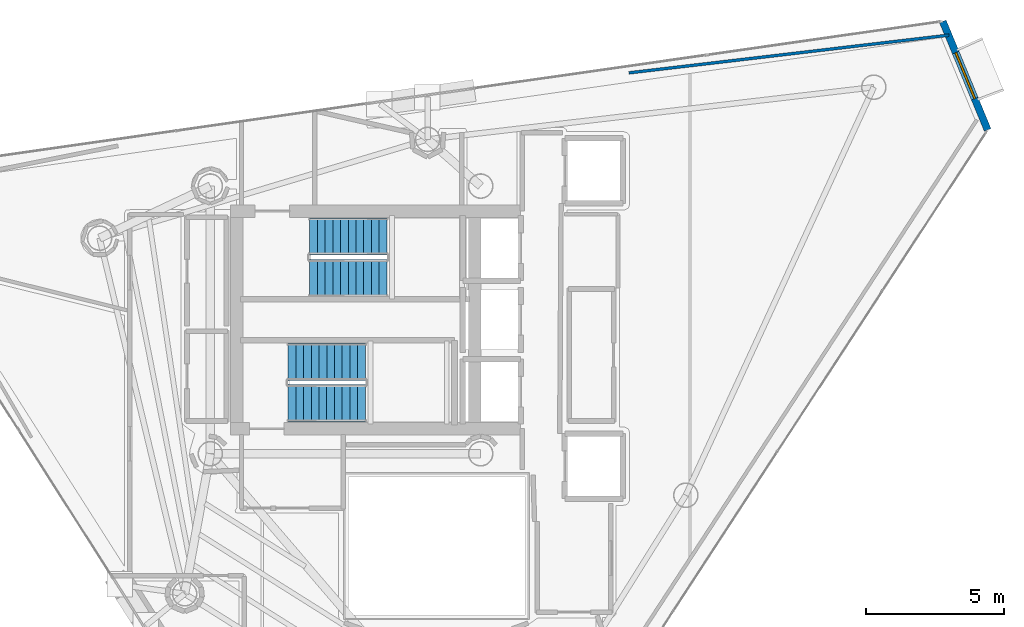
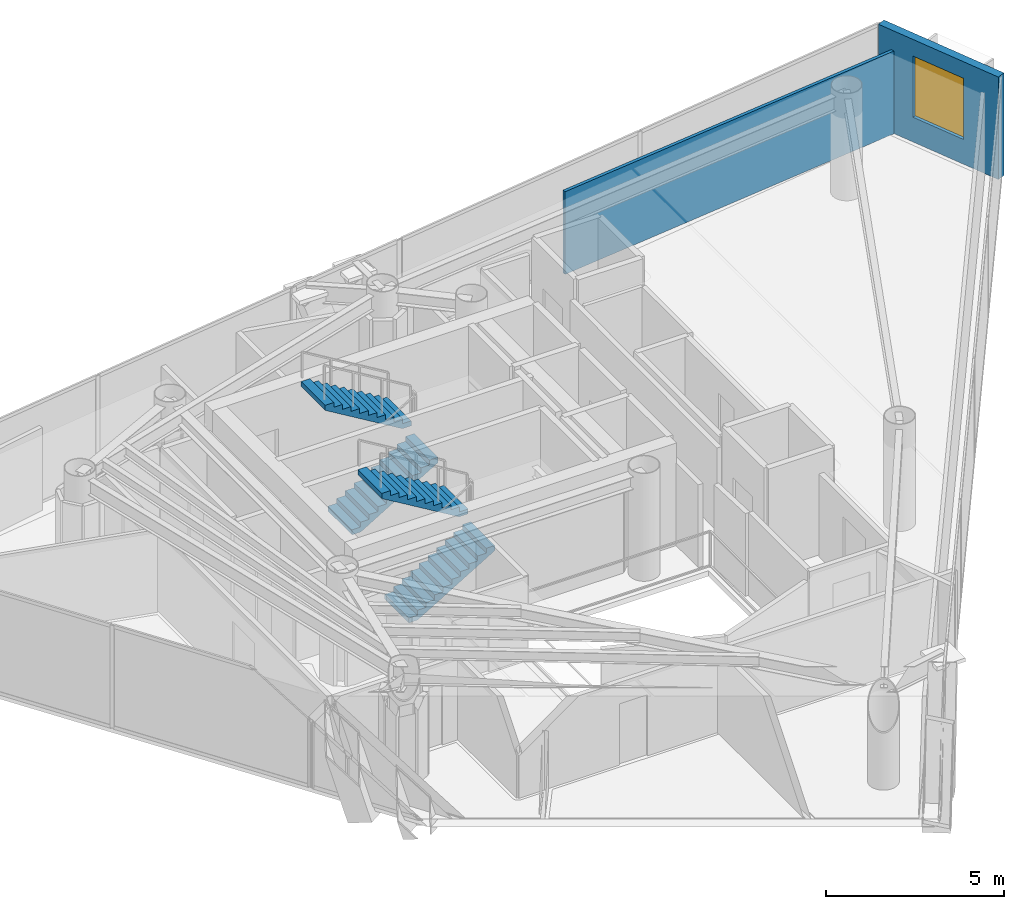
# One storey, part 22 of 25: 4 stair flights, 2 walls, 1 window, 1 opening, 2 elements without a shape of their own.
"""IFC4 building model written with IfcOpenShell, lengths in metres."""

from ifc_helpers import new_model, si_unit, direction, frame, frame_2d, origin, place, context, subcontext, project, spatial, polyline, rectangle, outline, extrude, material, layer, layer_set, type_object, element, fill, aggregate, save


model = new_model("IFC4")

# Units and contexts
model_context = context("Model", 3, precision=1e-05, world=origin(), true_north=direction((0.0, 1.0)))
body_context = subcontext(model_context, "Body", "Model", "MODEL_VIEW")
ifc_project = project(units=[si_unit("LENGTHUNIT", "METRE"), si_unit("AREAUNIT", "SQUARE_METRE"), si_unit("VOLUMEUNIT", "CUBIC_METRE"), si_unit("PLANEANGLEUNIT", "RADIAN"), si_unit("MASSUNIT", "GRAM", prefix="KILO")], contexts=[model_context])

# Site, building, storey
site_placement = place(None, origin())
site = spatial("IfcSite", under=ifc_project, at=site_placement, CompositionType="ELEMENT")
building_placement = place(site_placement, origin())
building = spatial("IfcBuilding", under=site, at=building_placement, Name="Qianvela Tower", CompositionType="ELEMENT")
storey_placement = place(building_placement, frame((0.0, 0.0, 288.0)))
storey = spatial("IfcBuildingStorey", under=building, at=storey_placement, Name="L74", CompositionType="ELEMENT", Elevation=288.0)

# Wall, opening, window
ifc_material_1 = material(Name="Terracotta Cladding on Concrete C40", Category="masonry")
ifc_layer_1 = layer(ifc_material_1, 0.260009765625)
ifc_layer_set_1 = layer_set([ifc_layer_1], Name="Terracotta Cladding on Concrete C40")
wall_type_1 = type_object("IfcWallType", Name="TERRACOTTA-WALL-260", PredefinedType="SOLIDWALL", material=ifc_layer_set_1)
wall_1_placement = place(storey_placement, frame((56.7744140625, 35.58642578125, 0.0), z_axis=(0.0, 0.0, 1.0), x_axis=(-0.382036002316, 0.924147441123, 0.0)))
wall_1 = element("IfcWall", 1, at=wall_1_placement, inside=storey, type_object=wall_type_1, Name="L74 Terracotta Chamfer Facet Wall 1", PredefinedType="SOLIDWALL", context=body_context, shape_type="SweptSolid", body=[
    extrude(rectangle(XDim=4.2568359375, YDim=0.260009765625, at=frame_2d((2.12841796875, 0.0))), origin(), (0.0, 0.0, 1.0), 3.52001953125),
])
opening_placement = place(wall_1_placement, frame((1.228271484375, 0.0, 0.85009765625)))
opening = element("IfcOpeningElement", 2, at=opening_placement, cuts=wall_1, Name="Opening W-01", PredefinedType="OPENING", context=body_context, shape_type="SweptSolid", body=[
    extrude(rectangle(XDim=1.800048828125, YDim=2.10009765625, at=frame_2d((0.89990234375, 1.050048828125))), frame((0.0, 0.139892578125, 0.0), z_axis=(0.0, -1.0, 0.0), x_axis=(1.0, 0.0, 0.0)), (0.0, 0.0, 1.0), 0.280029296875),
])
ifc_material_2 = material(Name="Thermally Broken Aluminium and Low-E Glass", Category="aluminium")
window_type = type_object("IfcWindowType", Name="WIN-TC-1800x2100", PartitioningType="DOUBLE_PANEL_VERTICAL", PredefinedType="WINDOW", material=ifc_material_2)
window_placement = place(opening_placement, origin())
window = element("IfcWindow", 3, at=window_placement, inside=storey, type_object=window_type, Name="L74 Chamfer Facet Window 1.1", OverallHeight=2.10009765625, OverallWidth=1.800048828125, PartitioningType="SINGLE_PANEL", PredefinedType="WINDOW", context=body_context, shape_type="SweptSolid", body=[
    extrude(rectangle(XDim=1.800048828125, YDim=2.10009765625, at=frame_2d((0.89990234375, 1.050048828125))), frame((0.0, 0.030029296875, 0.0), z_axis=(0.0, -1.0, 0.0), x_axis=(1.0, 0.0, 0.0)), (0.0, 0.0, 1.0), 0.06005859375),
])
fill(opening, window)

# Wall
ifc_material_3 = material(Name="Lightweight Gypsum Room Partition")
ifc_layer_2 = layer(ifc_material_3, 0.10498046875)
ifc_layer_set_2 = layer_set([ifc_layer_2], Name="Lightweight Gypsum Room Partition")
wall_type_2 = type_object("IfcWallType", Name="WT-PART-105", PredefinedType="PARTITIONING", material=ifc_layer_set_2)
wall_2_placement = place(storey_placement, frame((43.76953125, 37.65283203125, 0.0), z_axis=(0.0, 0.0, 1.0), x_axis=(0.993120768338, 0.117094575004, 0.0)))
element("IfcWall", 4, at=wall_2_placement, inside=storey, type_object=wall_type_2, Name="L74 Partition 110 seg 2", PredefinedType="PARTITIONING", context=body_context, shape_type="SweptSolid", body=[
    extrude(rectangle(XDim=11.686279296875, YDim=0.10498046875, at=frame_2d((5.84326171875, 0.0))), origin(), (0.0, 0.0, 1.0), 2.840087890625),
])

# Stair, stair flights
ifc_material_4 = material(Name="Concrete C40", Category="concrete")
stair_type = type_object("IfcStairType", Name="ST-DOGLEG-1350-R168-N22", PredefinedType="HALF_TURN_STAIR", material=ifc_material_4)
stair_1_placement = place(storey_placement, origin())
stair_1 = element("IfcStair", 5, at=stair_1_placement, inside=storey, type_object=stair_type, Name="L74 Smoke-Proof Core Stair ST-1", PredefinedType="HALF_TURN_STAIR")
ifc_material_5 = material(Name="Concrete C40", Category="concrete")
stair_flight_type = type_object("IfcStairFlightType", Name="STF-STRAIGHT-R168-P11", PredefinedType="STRAIGHT", material=ifc_material_5)
stair_flight_1_placement = place(storey_placement, frame((32.199951171875, 30.215087890625, 0.0), z_axis=(0.0, 0.0, 1.0), x_axis=(1.0, 0.0, 0.0)))
stair_flight_1 = element("IfcStairFlight", 6, at=stair_flight_1_placement, type_object=stair_flight_type, Name="ST-1 flight 1", NumberOfRisers=11, NumberOfTreads=10, PredefinedType="STRAIGHT", RiserHeight=0.168181818, TreadLength=0.28, context=body_context, shape_type="SweptSolid", body=[
    extrude(outline(polyline([(0.0, 0.0), (0.0, 0.168212890625), (0.280029296875, 0.168212890625), (0.280029296875, 0.33642578125), (0.56005859375, 0.33642578125), (0.56005859375, 0.504638671875), (0.840087890625, 0.504638671875), (0.840087890625, 0.672607421875), (1.1201171875, 0.672607421875), (1.1201171875, 0.8408203125), (1.39990234375, 0.8408203125), (1.39990234375, 1.009033203125), (1.679931640625, 1.009033203125), (1.679931640625, 1.17724609375), (1.9599609375, 1.17724609375), (1.9599609375, 1.345458984375), (2.239990234375, 1.345458984375), (2.239990234375, 1.513671875), (2.52001953125, 1.513671875), (2.52001953125, 1.681884765625), (2.800048828125, 1.681884765625), (2.800048828125, 1.85009765625), (2.800048828125, 1.5068359375), (0.291015625, 0.0), (0.0, 0.0)])), frame((0.0, 0.675048828125, 0.0), z_axis=(0.0, -1.0, 0.0), x_axis=(1.0, 0.0, 0.0)), (0.0, 0.0, 1.0), 1.35009765625),
])
stair_flight_2_placement = place(storey_placement, frame((35.0, 31.72509765625, 1.85009765625), z_axis=(0.0, 0.0, 1.0), x_axis=(-1.0, 0.0, 0.0)))
stair_flight_2 = element("IfcStairFlight", 7, at=stair_flight_2_placement, type_object=stair_flight_type, Name="ST-1 flight 2", NumberOfRisers=11, NumberOfTreads=10, PredefinedType="STRAIGHT", RiserHeight=0.168181818, TreadLength=0.28, context=body_context, shape_type="SweptSolid", body=[
    extrude(outline(polyline([(0.0, 0.0), (0.0, 0.168212890625), (0.280029296875, 0.168212890625), (0.280029296875, 0.33642578125), (0.56005859375, 0.33642578125), (0.56005859375, 0.504638671875), (0.840087890625, 0.504638671875), (0.840087890625, 0.672607421875), (1.1201171875, 0.672607421875), (1.1201171875, 0.8408203125), (1.39990234375, 0.8408203125), (1.39990234375, 1.009033203125), (1.679931640625, 1.009033203125), (1.679931640625, 1.17724609375), (1.9599609375, 1.17724609375), (1.9599609375, 1.345458984375), (2.239990234375, 1.345458984375), (2.239990234375, 1.513671875), (2.52001953125, 1.513671875), (2.52001953125, 1.681884765625), (2.800048828125, 1.681884765625), (2.800048828125, 1.85009765625), (2.800048828125, 1.5068359375), (0.291015625, 0.0), (0.0, 0.0)])), frame((0.0, 0.675048828125, 0.0), z_axis=(0.0, -1.0, 0.0), x_axis=(1.0, 0.0, 0.0)), (0.0, 0.0, 1.0), 1.35009765625),
])
aggregate(stair_1, [stair_flight_1, stair_flight_2])

stair_2_placement = place(storey_placement, origin())
stair_2 = element("IfcStair", 8, at=stair_2_placement, inside=storey, type_object=stair_type, Name="L74 Smoke-Proof Core Stair ST-2", PredefinedType="HALF_TURN_STAIR")
stair_flight_3_placement = place(storey_placement, frame((31.419921875, 25.675048828125, 0.0), z_axis=(0.0, 0.0, 1.0), x_axis=(1.0, 0.0, 0.0)))
stair_flight_3 = element("IfcStairFlight", 9, at=stair_flight_3_placement, type_object=stair_flight_type, Name="ST-2 flight 1", NumberOfRisers=11, NumberOfTreads=10, PredefinedType="STRAIGHT", RiserHeight=0.168181818, TreadLength=0.28, context=body_context, shape_type="SweptSolid", body=[
    extrude(outline(polyline([(0.0, 0.0), (0.0, 0.168212890625), (0.280029296875, 0.168212890625), (0.280029296875, 0.33642578125), (0.56005859375, 0.33642578125), (0.56005859375, 0.504638671875), (0.840087890625, 0.504638671875), (0.840087890625, 0.672607421875), (1.1201171875, 0.672607421875), (1.1201171875, 0.8408203125), (1.39990234375, 0.8408203125), (1.39990234375, 1.009033203125), (1.679931640625, 1.009033203125), (1.679931640625, 1.17724609375), (1.9599609375, 1.17724609375), (1.9599609375, 1.345458984375), (2.239990234375, 1.345458984375), (2.239990234375, 1.513671875), (2.52001953125, 1.513671875), (2.52001953125, 1.681884765625), (2.800048828125, 1.681884765625), (2.800048828125, 1.85009765625), (2.800048828125, 1.5068359375), (0.291015625, 0.0), (0.0, 0.0)])), frame((0.0, 0.675048828125, 0.0), z_axis=(0.0, -1.0, 0.0), x_axis=(1.0, 0.0, 0.0)), (0.0, 0.0, 1.0), 1.35009765625),
])
stair_flight_4_placement = place(storey_placement, frame((34.219970703125, 27.18505859375, 1.85009765625), z_axis=(0.0, 0.0, 1.0), x_axis=(-1.0, 0.0, 0.0)))
stair_flight_4 = element("IfcStairFlight", 10, at=stair_flight_4_placement, type_object=stair_flight_type, Name="ST-2 flight 2", NumberOfRisers=11, NumberOfTreads=10, PredefinedType="STRAIGHT", RiserHeight=0.168181818, TreadLength=0.28, context=body_context, shape_type="SweptSolid", body=[
    extrude(outline(polyline([(0.0, 0.0), (0.0, 0.168212890625), (0.280029296875, 0.168212890625), (0.280029296875, 0.33642578125), (0.56005859375, 0.33642578125), (0.56005859375, 0.504638671875), (0.840087890625, 0.504638671875), (0.840087890625, 0.672607421875), (1.1201171875, 0.672607421875), (1.1201171875, 0.8408203125), (1.39990234375, 0.8408203125), (1.39990234375, 1.009033203125), (1.679931640625, 1.009033203125), (1.679931640625, 1.17724609375), (1.9599609375, 1.17724609375), (1.9599609375, 1.345458984375), (2.239990234375, 1.345458984375), (2.239990234375, 1.513671875), (2.52001953125, 1.513671875), (2.52001953125, 1.681884765625), (2.800048828125, 1.681884765625), (2.800048828125, 1.85009765625), (2.800048828125, 1.5068359375), (0.291015625, 0.0), (0.0, 0.0)])), frame((0.0, 0.675048828125, 0.0), z_axis=(0.0, -1.0, 0.0), x_axis=(1.0, 0.0, 0.0)), (0.0, 0.0, 1.0), 1.35009765625),
])
aggregate(stair_2, [stair_flight_3, stair_flight_4])

save(model, "model.ifc")
